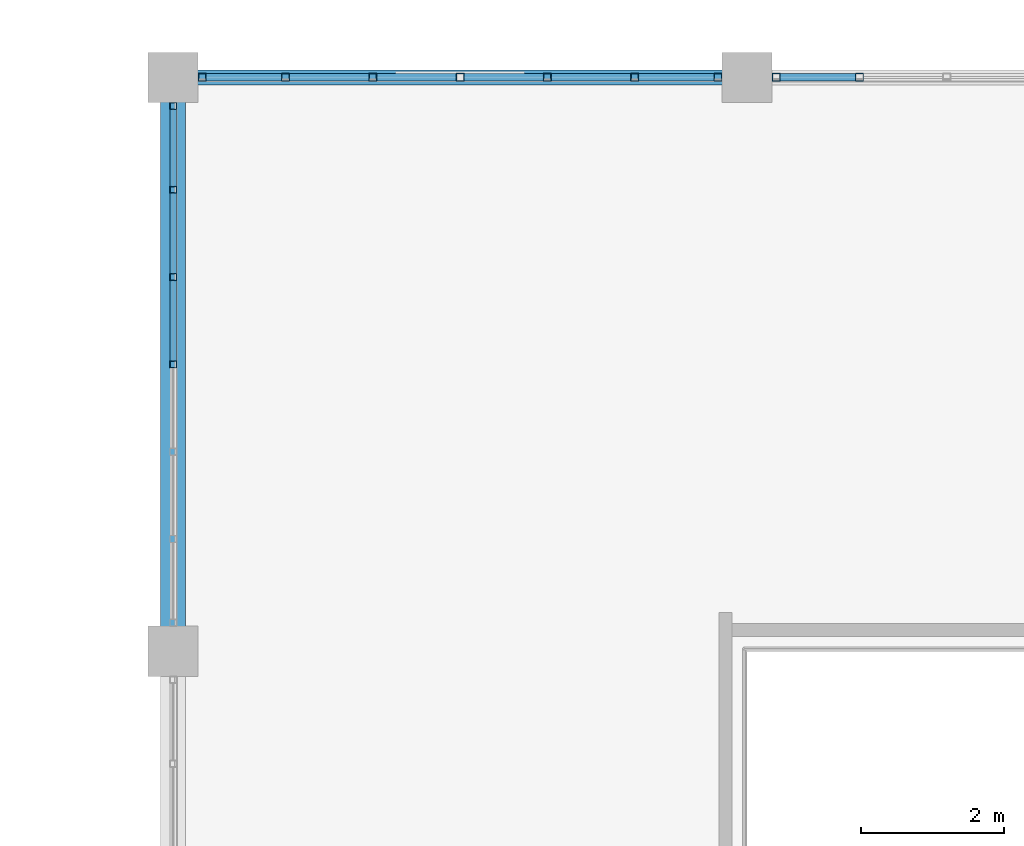
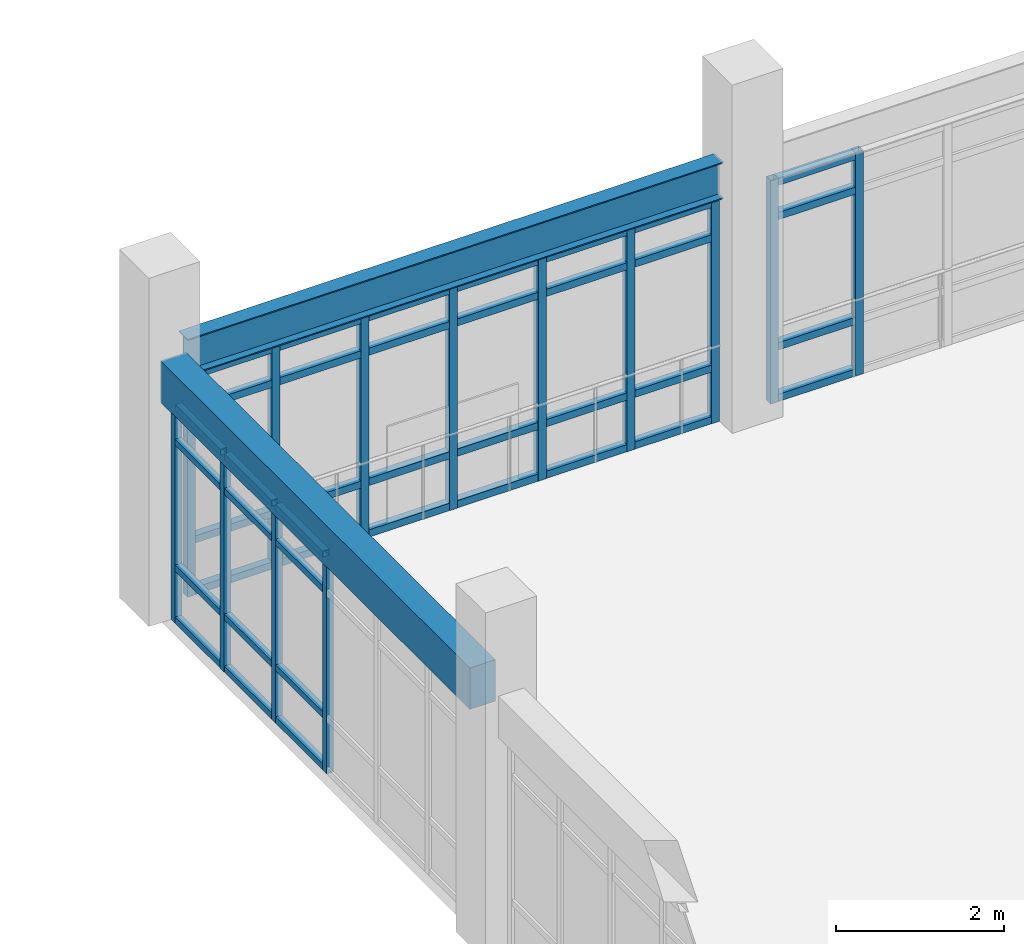
# One storey, part 98 of 159: 53 members, 2 beams, 3 elements without a shape of their own.
"""IFC4 building model written with IfcOpenShell, lengths in metres."""

from ifc_helpers import new_model, si_unit, direction, frame, origin, origin_2d, place, context, subcontext, project, spatial, rectangle, hollow_rectangle, i_section, extrude, material, material_profile, profile_set, type_object, element, aggregate, save


model = new_model("IFC4")

# Units and contexts
model_context = context("Model", 3, precision=1e-05, world=origin(), true_north=direction((0.0, 1.0)))
body_context = subcontext(model_context, "Body", "Model", "MODEL_VIEW")
ifc_project = project(units=[si_unit("LENGTHUNIT", "METRE"), si_unit("AREAUNIT", "SQUARE_METRE"), si_unit("VOLUMEUNIT", "CUBIC_METRE"), si_unit("PLANEANGLEUNIT", "RADIAN"), si_unit("MASSUNIT", "GRAM", prefix="KILO")], contexts=[model_context])

# Site, building, storey
site_placement = place(None, origin())
site = spatial("IfcSite", under=ifc_project, at=site_placement, CompositionType="ELEMENT")
building_placement = place(site_placement, origin())
building = spatial("IfcBuilding", under=site, at=building_placement, Name="Celadon Cloister-Ring School", CompositionType="ELEMENT")
storey_placement = place(building_placement, frame((0.0, 0.0, 4.5)))
storey = spatial("IfcBuildingStorey", under=building, at=storey_placement, Name="L01", CompositionType="ELEMENT", Elevation=4.5)

# Beam
ifc_material_1 = material(Name="Concrete C35/45", Category="concrete")
ifc_material_profile_1 = material_profile(ifc_material_1, rectangle(XDim=0.35009765625, YDim=0.60009765625, at=origin_2d()), Name="RC350X600")
ifc_profile_set_1 = profile_set([ifc_material_profile_1], Name="Concrete C35/45")
beam_type_1 = type_object("IfcBeamType", Name="BT-02", PredefinedType="BEAM", material=ifc_profile_set_1)
beam_1_placement = place(storey_placement, frame((142.0, 106.324951171875, 3.47998046875), z_axis=(0.0, 1.0, 0.0), x_axis=(-1.0, 0.0, 0.0)))
element("IfcBeam", 1, at=beam_1_placement, inside=storey, type_object=beam_type_1, Name="Beam 1173", PredefinedType="BEAM", context=body_context, shape_type="SweptSolid", body=[
    extrude(rectangle(XDim=0.35009765625, YDim=0.60009765625, at=origin_2d()), origin(), (0.0, 0.0, 1.0), 7.35009765625),
])

# Curtain wall, members
ifc_material_2 = material(Name="Aluminium EN AW-6063 T6", Category="aluminium")
curtain_wall_type_1 = type_object("IfcCurtainWallType", Name="CW-08", PredefinedType="USERDEFINED", material=ifc_material_2)
curtain_wall_1_placement = place(storey_placement, origin())
curtain_wall_1 = element("IfcCurtainWall", 2, at=curtain_wall_1_placement, inside=storey, type_object=curtain_wall_type_1, Name="Curtain Wall 0180", ObjectType="CURTAIN WALL", PredefinedType="USERDEFINED")
ifc_material_3 = material(Name="Aluminium EN AW-6063 T6", Category="aluminium")
ifc_material_profile_2 = material_profile(ifc_material_3, hollow_rectangle(XDim=0.110107421875, YDim=0.110107421875, WallThickness=0.0048828125, at=origin_2d()), Name="RHS110X110X5")
ifc_profile_set_2 = profile_set([ifc_material_profile_2], Name="Aluminium EN AW-6063 T6")
member_type_1 = type_object("IfcMemberType", Name="CM-01", PredefinedType="MULLION", material=ifc_profile_set_2)
member_1_placement = place(storey_placement, frame((142.405029296875, 114.0, 0.0), z_axis=(0.0, 0.0, 1.0), x_axis=(0.0, 1.0, 0.0)))
member_1 = element("IfcMember", 3, at=member_1_placement, type_object=member_type_1, Name="CW-08 mullion 1", PredefinedType="MULLION", context=body_context, shape_type="SweptSolid", body=[
    extrude(hollow_rectangle(XDim=0.110107421875, YDim=0.110107421875, WallThickness=0.0048828125, at=origin_2d()), origin(), (0.0, 0.0, 1.0), 3.239013671875),
])
member_2_placement = place(storey_placement, frame((143.566650390625, 114.0, 0.0), z_axis=(0.0, 0.0, 1.0), x_axis=(0.0, 1.0, 0.0)))
member_2 = element("IfcMember", 4, at=member_2_placement, type_object=member_type_1, Name="CW-08 mullion 2", PredefinedType="MULLION", context=body_context, shape_type="SweptSolid", body=[
    extrude(hollow_rectangle(XDim=0.110107421875, YDim=0.110107421875, WallThickness=0.0048828125, at=origin_2d()), origin(), (0.0, 0.0, 1.0), 3.239013671875),
])
member_3_placement = place(storey_placement, frame((144.783447265625, 114.0, 0.0), z_axis=(0.0, 0.0, 1.0), x_axis=(0.0, 1.0, 0.0)))
member_3 = element("IfcMember", 5, at=member_3_placement, type_object=member_type_1, Name="CW-08 mullion 3", PredefinedType="MULLION", context=body_context, shape_type="SweptSolid", body=[
    extrude(hollow_rectangle(XDim=0.110107421875, YDim=0.110107421875, WallThickness=0.0048828125, at=origin_2d()), origin(), (0.0, 0.0, 1.0), 3.239013671875),
])
member_4_placement = place(storey_placement, frame((146.0, 114.0, 0.0), z_axis=(0.0, 0.0, 1.0), x_axis=(0.0, 1.0, 0.0)))
member_4 = element("IfcMember", 6, at=member_4_placement, type_object=member_type_1, Name="CW-08 mullion 4", PredefinedType="MULLION", context=body_context, shape_type="SweptSolid", body=[
    extrude(hollow_rectangle(XDim=0.110107421875, YDim=0.110107421875, WallThickness=0.0048828125, at=origin_2d()), origin(), (0.0, 0.0, 1.0), 3.239013671875),
])
member_5_placement = place(storey_placement, frame((147.216552734375, 114.0, 0.0), z_axis=(0.0, 0.0, 1.0), x_axis=(0.0, 1.0, 0.0)))
member_5 = element("IfcMember", 7, at=member_5_placement, type_object=member_type_1, Name="CW-08 mullion 5", PredefinedType="MULLION", context=body_context, shape_type="SweptSolid", body=[
    extrude(hollow_rectangle(XDim=0.110107421875, YDim=0.110107421875, WallThickness=0.0048828125, at=origin_2d()), origin(), (0.0, 0.0, 1.0), 3.239013671875),
])
member_6_placement = place(storey_placement, frame((148.433349609375, 114.0, 0.0), z_axis=(0.0, 0.0, 1.0), x_axis=(0.0, 1.0, 0.0)))
member_6 = element("IfcMember", 8, at=member_6_placement, type_object=member_type_1, Name="CW-08 mullion 6", PredefinedType="MULLION", context=body_context, shape_type="SweptSolid", body=[
    extrude(hollow_rectangle(XDim=0.110107421875, YDim=0.110107421875, WallThickness=0.0048828125, at=origin_2d()), origin(), (0.0, 0.0, 1.0), 3.239013671875),
])
member_7_placement = place(storey_placement, frame((149.594970703125, 114.0, 0.0), z_axis=(0.0, 0.0, 1.0), x_axis=(0.0, 1.0, 0.0)))
member_7 = element("IfcMember", 9, at=member_7_placement, type_object=member_type_1, Name="CW-08 mullion 7", PredefinedType="MULLION", context=body_context, shape_type="SweptSolid", body=[
    extrude(hollow_rectangle(XDim=0.110107421875, YDim=0.110107421875, WallThickness=0.0048828125, at=origin_2d()), origin(), (0.0, 0.0, 1.0), 3.239013671875),
])

curtain_wall_2_placement = place(storey_placement, origin())
curtain_wall_2 = element("IfcCurtainWall", 10, at=curtain_wall_2_placement, inside=storey, type_object=curtain_wall_type_1, Name="Curtain Wall 0181", ObjectType="CURTAIN WALL", PredefinedType="USERDEFINED")
member_8_placement = place(storey_placement, frame((150.405029296875, 114.0, 0.0), z_axis=(0.0, 0.0, 1.0), x_axis=(0.0, 1.0, 0.0)))
member_8 = element("IfcMember", 11, at=member_8_placement, type_object=member_type_1, Name="CW-08 mullion 1", PredefinedType="MULLION", context=body_context, shape_type="SweptSolid", body=[
    extrude(hollow_rectangle(XDim=0.110107421875, YDim=0.110107421875, WallThickness=0.0048828125, at=origin_2d()), origin(), (0.0, 0.0, 1.0), 3.239013671875),
])
member_9_placement = place(storey_placement, frame((151.566650390625, 114.0, 0.0), z_axis=(0.0, 0.0, 1.0), x_axis=(0.0, 1.0, 0.0)))
member_9 = element("IfcMember", 12, at=member_9_placement, type_object=member_type_1, Name="CW-08 mullion 2", PredefinedType="MULLION", context=body_context, shape_type="SweptSolid", body=[
    extrude(hollow_rectangle(XDim=0.110107421875, YDim=0.110107421875, WallThickness=0.0048828125, at=origin_2d()), origin(), (0.0, 0.0, 1.0), 3.239013671875),
])

ifc_material_4 = material(Name="Aluminium EN AW-6063 T6", Category="aluminium")
curtain_wall_type_2 = type_object("IfcCurtainWallType", Name="CW-09", PredefinedType="USERDEFINED", material=ifc_material_4)
curtain_wall_3_placement = place(storey_placement, origin())
curtain_wall_3 = element("IfcCurtainWall", 13, at=curtain_wall_3_placement, inside=storey, type_object=curtain_wall_type_2, Name="Curtain Wall 0188", ObjectType="CURTAIN WALL", PredefinedType="USERDEFINED")
ifc_material_5 = material(Name="Aluminium EN AW-6063 T6", Category="aluminium")
ifc_material_profile_3 = material_profile(ifc_material_5, hollow_rectangle(XDim=0.094970703125, YDim=0.094970703125, WallThickness=0.00390625, at=origin_2d()), Name="RHS95X95X4")
ifc_profile_set_3 = profile_set([ifc_material_profile_3], Name="Aluminium EN AW-6063 T6")
member_type_2 = type_object("IfcMemberType", Name="CM-02", PredefinedType="MULLION", material=ifc_profile_set_3)
member_10_placement = place(storey_placement, frame((142.0, 110.0, 0.0), z_axis=(0.0, 0.0, 1.0), x_axis=(-1.0, 0.0, 0.0)))
member_10 = element("IfcMember", 14, at=member_10_placement, type_object=member_type_2, Name="CW-09 mullion 4", PredefinedType="MULLION", context=body_context, shape_type="SweptSolid", body=[
    extrude(hollow_rectangle(XDim=0.094970703125, YDim=0.094970703125, WallThickness=0.00390625, at=origin_2d()), origin(), (0.0, 0.0, 1.0), 3.172119140625),
])
member_11_placement = place(storey_placement, frame((142.0, 111.216552734375, 0.0), z_axis=(0.0, 0.0, 1.0), x_axis=(-1.0, 0.0, 0.0)))
member_11 = element("IfcMember", 15, at=member_11_placement, type_object=member_type_2, Name="CW-09 mullion 5", PredefinedType="MULLION", context=body_context, shape_type="SweptSolid", body=[
    extrude(hollow_rectangle(XDim=0.094970703125, YDim=0.094970703125, WallThickness=0.00390625, at=origin_2d()), origin(), (0.0, 0.0, 1.0), 3.172119140625),
])
member_12_placement = place(storey_placement, frame((142.0, 112.433349609375, 0.0), z_axis=(0.0, 0.0, 1.0), x_axis=(-1.0, 0.0, 0.0)))
member_12 = element("IfcMember", 16, at=member_12_placement, type_object=member_type_2, Name="CW-09 mullion 6", PredefinedType="MULLION", context=body_context, shape_type="SweptSolid", body=[
    extrude(hollow_rectangle(XDim=0.094970703125, YDim=0.094970703125, WallThickness=0.00390625, at=origin_2d()), origin(), (0.0, 0.0, 1.0), 3.172119140625),
])
member_13_placement = place(storey_placement, frame((142.0, 113.6025390625, 0.0), z_axis=(0.0, 0.0, 1.0), x_axis=(-1.0, 0.0, 0.0)))
member_13 = element("IfcMember", 17, at=member_13_placement, type_object=member_type_2, Name="CW-09 mullion 7", PredefinedType="MULLION", context=body_context, shape_type="SweptSolid", body=[
    extrude(hollow_rectangle(XDim=0.094970703125, YDim=0.094970703125, WallThickness=0.00390625, at=origin_2d()), origin(), (0.0, 0.0, 1.0), 3.172119140625),
])

# Member
ifc_material_6 = material(Name="Aluminium EN AW-6063 T6", Category="aluminium")
ifc_material_profile_4 = material_profile(ifc_material_6, hollow_rectangle(XDim=0.10498046875, YDim=0.10498046875, WallThickness=0.0048828125, at=origin_2d()), Name="RHS105X105X5")
ifc_profile_set_4 = profile_set([ifc_material_profile_4], Name="Aluminium EN AW-6063 T6")
member_type_3 = type_object("IfcMemberType", Name="CTM-01", PredefinedType="USERDEFINED", material=ifc_profile_set_4)
member_14_placement = place(storey_placement, frame((142.4599609375, 114.0, 0.052490234375), z_axis=(1.0, 0.0, 0.0), x_axis=(0.0, 1.0, 0.0)))
member_14 = element("IfcMember", 18, at=member_14_placement, type_object=member_type_3, Name="CW-08 transom 1.1", ObjectType="TRANSOM", PredefinedType="USERDEFINED", context=body_context, shape_type="SweptSolid", body=[
    extrude(hollow_rectangle(XDim=0.10498046875, YDim=0.10498046875, WallThickness=0.0048828125, at=origin_2d()), origin(), (0.0, 0.0, 1.0), 1.0517578125),
])

member_15_placement = place(storey_placement, frame((142.4599609375, 114.0, 0.800048828125), z_axis=(1.0, 0.0, 0.0), x_axis=(0.0, 1.0, 0.0)))
member_15 = element("IfcMember", 19, at=member_15_placement, type_object=member_type_3, Name="CW-08 transom 1.2", ObjectType="TRANSOM", PredefinedType="USERDEFINED", context=body_context, shape_type="SweptSolid", body=[
    extrude(hollow_rectangle(XDim=0.10498046875, YDim=0.10498046875, WallThickness=0.0048828125, at=origin_2d()), origin(), (0.0, 0.0, 1.0), 1.0517578125),
])

member_16_placement = place(storey_placement, frame((142.4599609375, 114.0, 2.68896484375), z_axis=(1.0, 0.0, 0.0), x_axis=(0.0, 1.0, 0.0)))
member_16 = element("IfcMember", 20, at=member_16_placement, type_object=member_type_3, Name="CW-08 transom 1.3", ObjectType="TRANSOM", PredefinedType="USERDEFINED", context=body_context, shape_type="SweptSolid", body=[
    extrude(hollow_rectangle(XDim=0.10498046875, YDim=0.10498046875, WallThickness=0.0048828125, at=origin_2d()), origin(), (0.0, 0.0, 1.0), 1.0517578125),
])

member_17_placement = place(storey_placement, frame((142.4599609375, 114.0, 3.1865234375), z_axis=(1.0, 0.0, 0.0), x_axis=(0.0, 1.0, 0.0)))
member_17 = element("IfcMember", 21, at=member_17_placement, type_object=member_type_3, Name="CW-08 transom 1.4", ObjectType="TRANSOM", PredefinedType="USERDEFINED", context=body_context, shape_type="SweptSolid", body=[
    extrude(hollow_rectangle(XDim=0.10498046875, YDim=0.10498046875, WallThickness=0.0048828125, at=origin_2d()), origin(), (0.0, 0.0, 1.0), 1.0517578125),
])

member_18_placement = place(storey_placement, frame((143.62158203125, 114.0, 0.052490234375), z_axis=(1.0, 0.0, 0.0), x_axis=(0.0, 1.0, 0.0)))
member_18 = element("IfcMember", 22, at=member_18_placement, type_object=member_type_3, Name="CW-08 transom 2.1", ObjectType="TRANSOM", PredefinedType="USERDEFINED", context=body_context, shape_type="SweptSolid", body=[
    extrude(hollow_rectangle(XDim=0.10498046875, YDim=0.10498046875, WallThickness=0.0048828125, at=origin_2d()), origin(), (0.0, 0.0, 1.0), 1.106689453125),
])

member_19_placement = place(storey_placement, frame((143.62158203125, 114.0, 0.800048828125), z_axis=(1.0, 0.0, 0.0), x_axis=(0.0, 1.0, 0.0)))
member_19 = element("IfcMember", 23, at=member_19_placement, type_object=member_type_3, Name="CW-08 transom 2.2", ObjectType="TRANSOM", PredefinedType="USERDEFINED", context=body_context, shape_type="SweptSolid", body=[
    extrude(hollow_rectangle(XDim=0.10498046875, YDim=0.10498046875, WallThickness=0.0048828125, at=origin_2d()), origin(), (0.0, 0.0, 1.0), 1.106689453125),
])

member_20_placement = place(storey_placement, frame((143.62158203125, 114.0, 2.68896484375), z_axis=(1.0, 0.0, 0.0), x_axis=(0.0, 1.0, 0.0)))
member_20 = element("IfcMember", 24, at=member_20_placement, type_object=member_type_3, Name="CW-08 transom 2.3", ObjectType="TRANSOM", PredefinedType="USERDEFINED", context=body_context, shape_type="SweptSolid", body=[
    extrude(hollow_rectangle(XDim=0.10498046875, YDim=0.10498046875, WallThickness=0.0048828125, at=origin_2d()), origin(), (0.0, 0.0, 1.0), 1.106689453125),
])

member_21_placement = place(storey_placement, frame((143.62158203125, 114.0, 3.1865234375), z_axis=(1.0, 0.0, 0.0), x_axis=(0.0, 1.0, 0.0)))
member_21 = element("IfcMember", 25, at=member_21_placement, type_object=member_type_3, Name="CW-08 transom 2.4", ObjectType="TRANSOM", PredefinedType="USERDEFINED", context=body_context, shape_type="SweptSolid", body=[
    extrude(hollow_rectangle(XDim=0.10498046875, YDim=0.10498046875, WallThickness=0.0048828125, at=origin_2d()), origin(), (0.0, 0.0, 1.0), 1.106689453125),
])

member_22_placement = place(storey_placement, frame((144.83837890625, 114.0, 0.052490234375), z_axis=(1.0, 0.0, 0.0), x_axis=(0.0, 1.0, 0.0)))
member_22 = element("IfcMember", 26, at=member_22_placement, type_object=member_type_3, Name="CW-08 transom 3.1", ObjectType="TRANSOM", PredefinedType="USERDEFINED", context=body_context, shape_type="SweptSolid", body=[
    extrude(hollow_rectangle(XDim=0.10498046875, YDim=0.10498046875, WallThickness=0.0048828125, at=origin_2d()), origin(), (0.0, 0.0, 1.0), 1.106689453125),
])

member_23_placement = place(storey_placement, frame((144.83837890625, 114.0, 0.800048828125), z_axis=(1.0, 0.0, 0.0), x_axis=(0.0, 1.0, 0.0)))
member_23 = element("IfcMember", 27, at=member_23_placement, type_object=member_type_3, Name="CW-08 transom 3.2", ObjectType="TRANSOM", PredefinedType="USERDEFINED", context=body_context, shape_type="SweptSolid", body=[
    extrude(hollow_rectangle(XDim=0.10498046875, YDim=0.10498046875, WallThickness=0.0048828125, at=origin_2d()), origin(), (0.0, 0.0, 1.0), 1.106689453125),
])

member_24_placement = place(storey_placement, frame((144.83837890625, 114.0, 2.68896484375), z_axis=(1.0, 0.0, 0.0), x_axis=(0.0, 1.0, 0.0)))
member_24 = element("IfcMember", 28, at=member_24_placement, type_object=member_type_3, Name="CW-08 transom 3.3", ObjectType="TRANSOM", PredefinedType="USERDEFINED", context=body_context, shape_type="SweptSolid", body=[
    extrude(hollow_rectangle(XDim=0.10498046875, YDim=0.10498046875, WallThickness=0.0048828125, at=origin_2d()), origin(), (0.0, 0.0, 1.0), 1.106689453125),
])

member_25_placement = place(storey_placement, frame((144.83837890625, 114.0, 3.1865234375), z_axis=(1.0, 0.0, 0.0), x_axis=(0.0, 1.0, 0.0)))
member_25 = element("IfcMember", 29, at=member_25_placement, type_object=member_type_3, Name="CW-08 transom 3.4", ObjectType="TRANSOM", PredefinedType="USERDEFINED", context=body_context, shape_type="SweptSolid", body=[
    extrude(hollow_rectangle(XDim=0.10498046875, YDim=0.10498046875, WallThickness=0.0048828125, at=origin_2d()), origin(), (0.0, 0.0, 1.0), 1.106689453125),
])

member_26_placement = place(storey_placement, frame((146.054931640625, 114.0, 0.052490234375), z_axis=(1.0, 0.0, 0.0), x_axis=(0.0, 1.0, 0.0)))
member_26 = element("IfcMember", 30, at=member_26_placement, type_object=member_type_3, Name="CW-08 transom 4.1", ObjectType="TRANSOM", PredefinedType="USERDEFINED", context=body_context, shape_type="SweptSolid", body=[
    extrude(hollow_rectangle(XDim=0.10498046875, YDim=0.10498046875, WallThickness=0.0048828125, at=origin_2d()), origin(), (0.0, 0.0, 1.0), 1.106689453125),
])

member_27_placement = place(storey_placement, frame((146.054931640625, 114.0, 0.800048828125), z_axis=(1.0, 0.0, 0.0), x_axis=(0.0, 1.0, 0.0)))
member_27 = element("IfcMember", 31, at=member_27_placement, type_object=member_type_3, Name="CW-08 transom 4.2", ObjectType="TRANSOM", PredefinedType="USERDEFINED", context=body_context, shape_type="SweptSolid", body=[
    extrude(hollow_rectangle(XDim=0.10498046875, YDim=0.10498046875, WallThickness=0.0048828125, at=origin_2d()), origin(), (0.0, 0.0, 1.0), 1.106689453125),
])

member_28_placement = place(storey_placement, frame((146.054931640625, 114.0, 2.68896484375), z_axis=(1.0, 0.0, 0.0), x_axis=(0.0, 1.0, 0.0)))
member_28 = element("IfcMember", 32, at=member_28_placement, type_object=member_type_3, Name="CW-08 transom 4.3", ObjectType="TRANSOM", PredefinedType="USERDEFINED", context=body_context, shape_type="SweptSolid", body=[
    extrude(hollow_rectangle(XDim=0.10498046875, YDim=0.10498046875, WallThickness=0.0048828125, at=origin_2d()), origin(), (0.0, 0.0, 1.0), 1.106689453125),
])

member_29_placement = place(storey_placement, frame((146.054931640625, 114.0, 3.1865234375), z_axis=(1.0, 0.0, 0.0), x_axis=(0.0, 1.0, 0.0)))
member_29 = element("IfcMember", 33, at=member_29_placement, type_object=member_type_3, Name="CW-08 transom 4.4", ObjectType="TRANSOM", PredefinedType="USERDEFINED", context=body_context, shape_type="SweptSolid", body=[
    extrude(hollow_rectangle(XDim=0.10498046875, YDim=0.10498046875, WallThickness=0.0048828125, at=origin_2d()), origin(), (0.0, 0.0, 1.0), 1.106689453125),
])

member_30_placement = place(storey_placement, frame((147.271728515625, 114.0, 0.052490234375), z_axis=(1.0, 0.0, 0.0), x_axis=(0.0, 1.0, 0.0)))
member_30 = element("IfcMember", 34, at=member_30_placement, type_object=member_type_3, Name="CW-08 transom 5.1", ObjectType="TRANSOM", PredefinedType="USERDEFINED", context=body_context, shape_type="SweptSolid", body=[
    extrude(hollow_rectangle(XDim=0.10498046875, YDim=0.10498046875, WallThickness=0.0048828125, at=origin_2d()), origin(), (0.0, 0.0, 1.0), 1.106689453125),
])

member_31_placement = place(storey_placement, frame((147.271728515625, 114.0, 0.800048828125), z_axis=(1.0, 0.0, 0.0), x_axis=(0.0, 1.0, 0.0)))
member_31 = element("IfcMember", 35, at=member_31_placement, type_object=member_type_3, Name="CW-08 transom 5.2", ObjectType="TRANSOM", PredefinedType="USERDEFINED", context=body_context, shape_type="SweptSolid", body=[
    extrude(hollow_rectangle(XDim=0.10498046875, YDim=0.10498046875, WallThickness=0.0048828125, at=origin_2d()), origin(), (0.0, 0.0, 1.0), 1.106689453125),
])

member_32_placement = place(storey_placement, frame((147.271728515625, 114.0, 2.68896484375), z_axis=(1.0, 0.0, 0.0), x_axis=(0.0, 1.0, 0.0)))
member_32 = element("IfcMember", 36, at=member_32_placement, type_object=member_type_3, Name="CW-08 transom 5.3", ObjectType="TRANSOM", PredefinedType="USERDEFINED", context=body_context, shape_type="SweptSolid", body=[
    extrude(hollow_rectangle(XDim=0.10498046875, YDim=0.10498046875, WallThickness=0.0048828125, at=origin_2d()), origin(), (0.0, 0.0, 1.0), 1.106689453125),
])

member_33_placement = place(storey_placement, frame((147.271728515625, 114.0, 3.1865234375), z_axis=(1.0, 0.0, 0.0), x_axis=(0.0, 1.0, 0.0)))
member_33 = element("IfcMember", 37, at=member_33_placement, type_object=member_type_3, Name="CW-08 transom 5.4", ObjectType="TRANSOM", PredefinedType="USERDEFINED", context=body_context, shape_type="SweptSolid", body=[
    extrude(hollow_rectangle(XDim=0.10498046875, YDim=0.10498046875, WallThickness=0.0048828125, at=origin_2d()), origin(), (0.0, 0.0, 1.0), 1.106689453125),
])

member_34_placement = place(storey_placement, frame((148.48828125, 114.0, 0.052490234375), z_axis=(1.0, 0.0, 0.0), x_axis=(0.0, 1.0, 0.0)))
member_34 = element("IfcMember", 38, at=member_34_placement, type_object=member_type_3, Name="CW-08 transom 6.1", ObjectType="TRANSOM", PredefinedType="USERDEFINED", context=body_context, shape_type="SweptSolid", body=[
    extrude(hollow_rectangle(XDim=0.10498046875, YDim=0.10498046875, WallThickness=0.0048828125, at=origin_2d()), origin(), (0.0, 0.0, 1.0), 1.0517578125),
])

member_35_placement = place(storey_placement, frame((148.48828125, 114.0, 0.800048828125), z_axis=(1.0, 0.0, 0.0), x_axis=(0.0, 1.0, 0.0)))
member_35 = element("IfcMember", 39, at=member_35_placement, type_object=member_type_3, Name="CW-08 transom 6.2", ObjectType="TRANSOM", PredefinedType="USERDEFINED", context=body_context, shape_type="SweptSolid", body=[
    extrude(hollow_rectangle(XDim=0.10498046875, YDim=0.10498046875, WallThickness=0.0048828125, at=origin_2d()), origin(), (0.0, 0.0, 1.0), 1.0517578125),
])

member_36_placement = place(storey_placement, frame((148.48828125, 114.0, 2.68896484375), z_axis=(1.0, 0.0, 0.0), x_axis=(0.0, 1.0, 0.0)))
member_36 = element("IfcMember", 40, at=member_36_placement, type_object=member_type_3, Name="CW-08 transom 6.3", ObjectType="TRANSOM", PredefinedType="USERDEFINED", context=body_context, shape_type="SweptSolid", body=[
    extrude(hollow_rectangle(XDim=0.10498046875, YDim=0.10498046875, WallThickness=0.0048828125, at=origin_2d()), origin(), (0.0, 0.0, 1.0), 1.0517578125),
])

member_37_placement = place(storey_placement, frame((148.48828125, 114.0, 3.1865234375), z_axis=(1.0, 0.0, 0.0), x_axis=(0.0, 1.0, 0.0)))
member_37 = element("IfcMember", 41, at=member_37_placement, type_object=member_type_3, Name="CW-08 transom 6.4", ObjectType="TRANSOM", PredefinedType="USERDEFINED", context=body_context, shape_type="SweptSolid", body=[
    extrude(hollow_rectangle(XDim=0.10498046875, YDim=0.10498046875, WallThickness=0.0048828125, at=origin_2d()), origin(), (0.0, 0.0, 1.0), 1.0517578125),
])

aggregate(curtain_wall_1, [member_1, member_2, member_3, member_4, member_5, member_6, member_7, member_14, member_15, member_16, member_17, member_18, member_19, member_20, member_21, member_22, member_23, member_24, member_25, member_26, member_27, member_28, member_29, member_30, member_31, member_32, member_33, member_34, member_35, member_36, member_37])

member_38_placement = place(storey_placement, frame((150.4599609375, 114.0, 0.052490234375), z_axis=(1.0, 0.0, 0.0), x_axis=(0.0, 1.0, 0.0)))
member_38 = element("IfcMember", 42, at=member_38_placement, type_object=member_type_3, Name="CW-08 transom 1.1", ObjectType="TRANSOM", PredefinedType="USERDEFINED", context=body_context, shape_type="SweptSolid", body=[
    extrude(hollow_rectangle(XDim=0.10498046875, YDim=0.10498046875, WallThickness=0.0048828125, at=origin_2d()), origin(), (0.0, 0.0, 1.0), 1.0517578125),
])

member_39_placement = place(storey_placement, frame((150.4599609375, 114.0, 0.800048828125), z_axis=(1.0, 0.0, 0.0), x_axis=(0.0, 1.0, 0.0)))
member_39 = element("IfcMember", 43, at=member_39_placement, type_object=member_type_3, Name="CW-08 transom 1.2", ObjectType="TRANSOM", PredefinedType="USERDEFINED", context=body_context, shape_type="SweptSolid", body=[
    extrude(hollow_rectangle(XDim=0.10498046875, YDim=0.10498046875, WallThickness=0.0048828125, at=origin_2d()), origin(), (0.0, 0.0, 1.0), 1.0517578125),
])

member_40_placement = place(storey_placement, frame((150.4599609375, 114.0, 2.68896484375), z_axis=(1.0, 0.0, 0.0), x_axis=(0.0, 1.0, 0.0)))
member_40 = element("IfcMember", 44, at=member_40_placement, type_object=member_type_3, Name="CW-08 transom 1.3", ObjectType="TRANSOM", PredefinedType="USERDEFINED", context=body_context, shape_type="SweptSolid", body=[
    extrude(hollow_rectangle(XDim=0.10498046875, YDim=0.10498046875, WallThickness=0.0048828125, at=origin_2d()), origin(), (0.0, 0.0, 1.0), 1.0517578125),
])

member_41_placement = place(storey_placement, frame((150.4599609375, 114.0, 3.1865234375), z_axis=(1.0, 0.0, 0.0), x_axis=(0.0, 1.0, 0.0)))
member_41 = element("IfcMember", 45, at=member_41_placement, type_object=member_type_3, Name="CW-08 transom 1.4", ObjectType="TRANSOM", PredefinedType="USERDEFINED", context=body_context, shape_type="SweptSolid", body=[
    extrude(hollow_rectangle(XDim=0.10498046875, YDim=0.10498046875, WallThickness=0.0048828125, at=origin_2d()), origin(), (0.0, 0.0, 1.0), 1.0517578125),
])

aggregate(curtain_wall_2, [member_8, member_9, member_38, member_39, member_40, member_41])

ifc_material_7 = material(Name="Aluminium EN AW-6063 T6", Category="aluminium")
ifc_material_profile_5 = material_profile(ifc_material_7, hollow_rectangle(XDim=0.090087890625, YDim=0.090087890625, WallThickness=0.00390625, at=origin_2d()), Name="RHS90X90X4")
ifc_profile_set_5 = profile_set([ifc_material_profile_5], Name="Aluminium EN AW-6063 T6")
member_type_4 = type_object("IfcMemberType", Name="CTM-02", PredefinedType="USERDEFINED", material=ifc_profile_set_5)
member_42_placement = place(storey_placement, frame((142.0, 110.047607421875, 0.044921875), z_axis=(0.0, 1.0, 0.0), x_axis=(-1.0, 0.0, 0.0)))
member_42 = element("IfcMember", 46, at=member_42_placement, type_object=member_type_4, Name="CW-09 transom 4.1", ObjectType="TRANSOM", PredefinedType="USERDEFINED", context=body_context, shape_type="SweptSolid", body=[
    extrude(hollow_rectangle(XDim=0.090087890625, YDim=0.090087890625, WallThickness=0.00390625, at=origin_2d()), origin(), (0.0, 0.0, 1.0), 1.12158203125),
])

member_43_placement = place(storey_placement, frame((142.0, 110.047607421875, 0.800048828125), z_axis=(0.0, 1.0, 0.0), x_axis=(-1.0, 0.0, 0.0)))
member_43 = element("IfcMember", 47, at=member_43_placement, type_object=member_type_4, Name="CW-09 transom 4.2", ObjectType="TRANSOM", PredefinedType="USERDEFINED", context=body_context, shape_type="SweptSolid", body=[
    extrude(hollow_rectangle(XDim=0.090087890625, YDim=0.090087890625, WallThickness=0.00390625, at=origin_2d()), origin(), (0.0, 0.0, 1.0), 1.12158203125),
])

member_44_placement = place(storey_placement, frame((142.0, 110.047607421875, 2.6220703125), z_axis=(0.0, 1.0, 0.0), x_axis=(-1.0, 0.0, 0.0)))
member_44 = element("IfcMember", 48, at=member_44_placement, type_object=member_type_4, Name="CW-09 transom 4.3", ObjectType="TRANSOM", PredefinedType="USERDEFINED", context=body_context, shape_type="SweptSolid", body=[
    extrude(hollow_rectangle(XDim=0.090087890625, YDim=0.090087890625, WallThickness=0.00390625, at=origin_2d()), origin(), (0.0, 0.0, 1.0), 1.12158203125),
])

member_45_placement = place(storey_placement, frame((142.0, 110.047607421875, 3.126953125), z_axis=(0.0, 1.0, 0.0), x_axis=(-1.0, 0.0, 0.0)))
member_45 = element("IfcMember", 49, at=member_45_placement, type_object=member_type_4, Name="CW-09 transom 4.4", ObjectType="TRANSOM", PredefinedType="USERDEFINED", context=body_context, shape_type="SweptSolid", body=[
    extrude(hollow_rectangle(XDim=0.090087890625, YDim=0.090087890625, WallThickness=0.00390625, at=origin_2d()), origin(), (0.0, 0.0, 1.0), 1.12158203125),
])

member_46_placement = place(storey_placement, frame((142.0, 111.26416015625, 0.044921875), z_axis=(0.0, 1.0, 0.0), x_axis=(-1.0, 0.0, 0.0)))
member_46 = element("IfcMember", 50, at=member_46_placement, type_object=member_type_4, Name="CW-09 transom 5.1", ObjectType="TRANSOM", PredefinedType="USERDEFINED", context=body_context, shape_type="SweptSolid", body=[
    extrude(hollow_rectangle(XDim=0.090087890625, YDim=0.090087890625, WallThickness=0.00390625, at=origin_2d()), origin(), (0.0, 0.0, 1.0), 1.12158203125),
])

member_47_placement = place(storey_placement, frame((142.0, 111.26416015625, 0.800048828125), z_axis=(0.0, 1.0, 0.0), x_axis=(-1.0, 0.0, 0.0)))
member_47 = element("IfcMember", 51, at=member_47_placement, type_object=member_type_4, Name="CW-09 transom 5.2", ObjectType="TRANSOM", PredefinedType="USERDEFINED", context=body_context, shape_type="SweptSolid", body=[
    extrude(hollow_rectangle(XDim=0.090087890625, YDim=0.090087890625, WallThickness=0.00390625, at=origin_2d()), origin(), (0.0, 0.0, 1.0), 1.12158203125),
])

member_48_placement = place(storey_placement, frame((142.0, 111.26416015625, 2.6220703125), z_axis=(0.0, 1.0, 0.0), x_axis=(-1.0, 0.0, 0.0)))
member_48 = element("IfcMember", 52, at=member_48_placement, type_object=member_type_4, Name="CW-09 transom 5.3", ObjectType="TRANSOM", PredefinedType="USERDEFINED", context=body_context, shape_type="SweptSolid", body=[
    extrude(hollow_rectangle(XDim=0.090087890625, YDim=0.090087890625, WallThickness=0.00390625, at=origin_2d()), origin(), (0.0, 0.0, 1.0), 1.12158203125),
])

member_49_placement = place(storey_placement, frame((142.0, 111.26416015625, 3.126953125), z_axis=(0.0, 1.0, 0.0), x_axis=(-1.0, 0.0, 0.0)))
member_49 = element("IfcMember", 53, at=member_49_placement, type_object=member_type_4, Name="CW-09 transom 5.4", ObjectType="TRANSOM", PredefinedType="USERDEFINED", context=body_context, shape_type="SweptSolid", body=[
    extrude(hollow_rectangle(XDim=0.090087890625, YDim=0.090087890625, WallThickness=0.00390625, at=origin_2d()), origin(), (0.0, 0.0, 1.0), 1.12158203125),
])

member_50_placement = place(storey_placement, frame((142.0, 112.480712890625, 0.044921875), z_axis=(0.0, 1.0, 0.0), x_axis=(-1.0, 0.0, 0.0)))
member_50 = element("IfcMember", 54, at=member_50_placement, type_object=member_type_4, Name="CW-09 transom 6.1", ObjectType="TRANSOM", PredefinedType="USERDEFINED", context=body_context, shape_type="SweptSolid", body=[
    extrude(hollow_rectangle(XDim=0.090087890625, YDim=0.090087890625, WallThickness=0.00390625, at=origin_2d()), origin(), (0.0, 0.0, 1.0), 1.07421875),
])

member_51_placement = place(storey_placement, frame((142.0, 112.480712890625, 0.800048828125), z_axis=(0.0, 1.0, 0.0), x_axis=(-1.0, 0.0, 0.0)))
member_51 = element("IfcMember", 55, at=member_51_placement, type_object=member_type_4, Name="CW-09 transom 6.2", ObjectType="TRANSOM", PredefinedType="USERDEFINED", context=body_context, shape_type="SweptSolid", body=[
    extrude(hollow_rectangle(XDim=0.090087890625, YDim=0.090087890625, WallThickness=0.00390625, at=origin_2d()), origin(), (0.0, 0.0, 1.0), 1.07421875),
])

member_52_placement = place(storey_placement, frame((142.0, 112.480712890625, 2.6220703125), z_axis=(0.0, 1.0, 0.0), x_axis=(-1.0, 0.0, 0.0)))
member_52 = element("IfcMember", 56, at=member_52_placement, type_object=member_type_4, Name="CW-09 transom 6.3", ObjectType="TRANSOM", PredefinedType="USERDEFINED", context=body_context, shape_type="SweptSolid", body=[
    extrude(hollow_rectangle(XDim=0.090087890625, YDim=0.090087890625, WallThickness=0.00390625, at=origin_2d()), origin(), (0.0, 0.0, 1.0), 1.07421875),
])

member_53_placement = place(storey_placement, frame((142.0, 112.480712890625, 3.126953125), z_axis=(0.0, 1.0, 0.0), x_axis=(-1.0, 0.0, 0.0)))
member_53 = element("IfcMember", 57, at=member_53_placement, type_object=member_type_4, Name="CW-09 transom 6.4", ObjectType="TRANSOM", PredefinedType="USERDEFINED", context=body_context, shape_type="SweptSolid", body=[
    extrude(hollow_rectangle(XDim=0.090087890625, YDim=0.090087890625, WallThickness=0.00390625, at=origin_2d()), origin(), (0.0, 0.0, 1.0), 1.07421875),
])

aggregate(curtain_wall_3, [member_10, member_11, member_12, member_13, member_42, member_43, member_44, member_45, member_46, member_47, member_48, member_49, member_50, member_51, member_52, member_53])

# Beam
ifc_material_8 = material(Name="Structural steel S355JR", Category="steel")
ifc_material_profile_6 = material_profile(ifc_material_8, i_section(OverallWidth=0.208984375, OverallDepth=0.532958984375, WebThickness=0.01025390625, FlangeThickness=0.015625, at=origin_2d()), Name="W530X92")
ifc_profile_set_6 = profile_set([ifc_material_profile_6], Name="Structural steel S355JR")
beam_type_2 = type_object("IfcBeamType", Name="GT-06", PredefinedType="USERDEFINED", material=ifc_profile_set_6)
beam_2_placement = place(storey_placement, frame((142.324951171875, 114.0, 3.512939453125), z_axis=(1.0, 0.0, 0.0), x_axis=(0.0, 1.0, 0.0)))
element("IfcBeam", 58, at=beam_2_placement, inside=storey, type_object=beam_type_2, Name="Beam 1164", ObjectType="GIRDER", PredefinedType="USERDEFINED", context=body_context, shape_type="SweptSolid", body=[
    extrude(i_section(OverallWidth=0.208984375, OverallDepth=0.532958984375, WebThickness=0.01025390625, FlangeThickness=0.015625, at=origin_2d()), origin(), (0.0, 0.0, 1.0), 7.35009765625),
])

save(model, "model.ifc")
